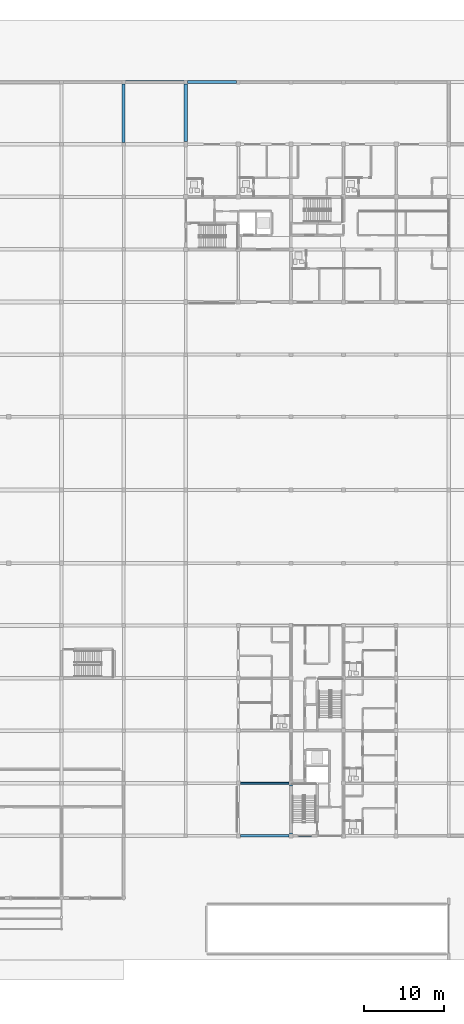
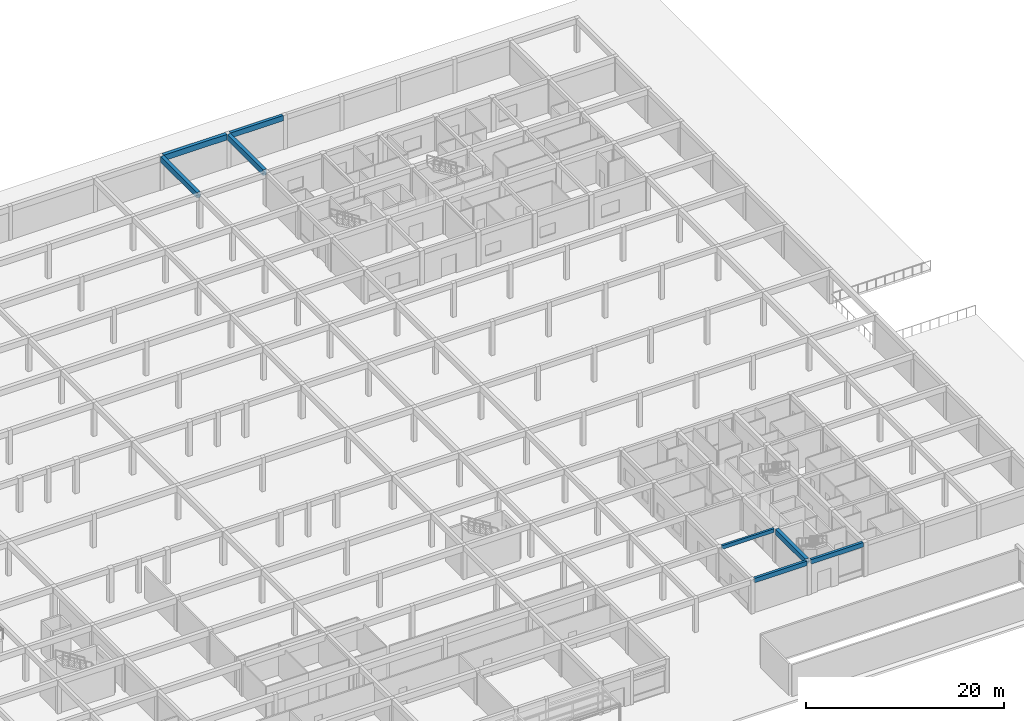
# One storey, part 37 of 75: 8 beams.
"""IFC4 building model written with IfcOpenShell, lengths in metres."""

from ifc_helpers import new_model, si_unit, direction, frame, origin, origin_2d, place, context, subcontext, project, spatial, rectangle, extrude, material, material_profile, profile_set, type_object, element, save


model = new_model("IFC4")

# Units and contexts
model_context = context("Model", 3, precision=1e-05, world=origin(), true_north=direction((0.0, 1.0)))
body_context = subcontext(model_context, "Body", "Model", "MODEL_VIEW")
ifc_project = project(units=[si_unit("LENGTHUNIT", "METRE"), si_unit("AREAUNIT", "SQUARE_METRE"), si_unit("VOLUMEUNIT", "CUBIC_METRE"), si_unit("PLANEANGLEUNIT", "RADIAN"), si_unit("MASSUNIT", "GRAM", prefix="KILO")], contexts=[model_context])

# Site, building, storey
site_placement = place(None, origin())
site = spatial("IfcSite", under=ifc_project, at=site_placement, CompositionType="ELEMENT")
building_placement = place(site_placement, origin())
building = spatial("IfcBuilding", under=site, at=building_placement, Name="Kernevlak Ridge Housing Community", CompositionType="ELEMENT")
storey_placement = place(building_placement, origin())
storey = spatial("IfcBuildingStorey", under=building, at=storey_placement, Name="L00", CompositionType="ELEMENT", Elevation=0.0)

# Beams
ifc_material = material(Name="Concrete C35/45", Category="concrete")
ifc_material_profile_1 = material_profile(ifc_material, rectangle(XDim=0.39990234375, YDim=0.699951171875, at=origin_2d()), Name="RC 400x700")
ifc_profile_set_1 = profile_set([ifc_material_profile_1], Name="Concrete C35/45")
beam_type_1 = type_object("IfcBeamType", Name="B-01", PredefinedType="BEAM", material=ifc_profile_set_1)
for number, where, z_axis, x_axis, name in (
    (1, (111.824951171875, 110.199951171875, 3.85009765625), (1.0, 0.0, 0.0), (0.0, 1.0, 0.0), "Beam B-01 L00 2262"),
    (2, (111.60009765625, 102.625, 3.85009765625), (0.0, 1.0, 0.0), (-1.0, 0.0, 0.0), "Beam B-01 L00 2368"),
):
    element("IfcBeam", number, at=place(storey_placement, frame(where, z_axis=z_axis, x_axis=x_axis)), inside=storey, type_object=beam_type_1, Name=name, PredefinedType="BEAM", context=body_context, shape_type="SweptSolid", body=[
        extrude(rectangle(XDim=0.39990234375, YDim=0.699951171875, at=origin_2d()), origin(), (0.0, 0.0, 1.0), 7.35009765625),
    ])
beam_1_placement = place(storey_placement, frame((119.39990234375, 102.72509765625, 3.85009765625), z_axis=(0.0, 1.0, 0.0), x_axis=(-1.0, 0.0, 0.0)))
element("IfcBeam", 3, at=beam_1_placement, inside=storey, type_object=beam_type_1, Name="Beam B-01 L00 2378", PredefinedType="BEAM", context=body_context, shape_type="SweptSolid", body=[
    extrude(rectangle(XDim=0.39990234375, YDim=0.699951171875, at=origin_2d()), origin(), (0.0, 0.0, 1.0), 7.25),
])
ifc_material_profile_2 = material_profile(ifc_material, rectangle(XDim=0.35009765625, YDim=0.64990234375, at=origin_2d()), Name="RC 350x650")
ifc_profile_set_2 = profile_set([ifc_material_profile_2], Name="Concrete C35/45")
beam_type_2 = type_object("IfcBeamType", Name="B-02", PredefinedType="BEAM", material=ifc_profile_set_2)
beam_2_placement = place(storey_placement, frame((119.625, 110.199951171875, 3.875), z_axis=(1.0, 0.0, 0.0), x_axis=(0.0, 1.0, 0.0)))
element("IfcBeam", 4, at=beam_2_placement, inside=storey, type_object=beam_type_2, Name="Beam B-02 L00 2263", PredefinedType="BEAM", context=body_context, shape_type="SweptSolid", body=[
    extrude(rectangle(XDim=0.35009765625, YDim=0.64990234375, at=origin_2d()), origin(), (0.0, 0.0, 1.0), 6.14990234375),
])
ifc_material_profile_3 = material_profile(ifc_material, rectangle(XDim=0.39990234375, YDim=0.64990234375, at=origin_2d()), Name="RC 400x650")
ifc_profile_set_3 = profile_set([ifc_material_profile_3], Name="Concrete C35/45")
beam_type_3 = type_object("IfcBeamType", Name="B-03", PredefinedType="T_BEAM", material=ifc_profile_set_3)
beam_3_placement = place(storey_placement, frame((132.60009765625, 15.85009765625, 3.875), z_axis=(0.0, 1.0, 0.0), x_axis=(-1.0, 0.0, 0.0)))
element("IfcBeam", 5, at=beam_3_placement, inside=storey, type_object=beam_type_3, Name="Beam B-03 L00 992", PredefinedType="T_BEAM", context=body_context, shape_type="SweptSolid", body=[
    extrude(rectangle(XDim=0.39990234375, YDim=0.64990234375, at=origin_2d()), origin(), (0.0, 0.0, 1.0), 6.099853515625),
])
ifc_material_profile_4 = material_profile(ifc_material, rectangle(XDim=0.25, YDim=0.449951171875, at=origin_2d()), Name="RC 250x450")
ifc_profile_set_4 = profile_set([ifc_material_profile_4], Name="Concrete C35/45")
beam_type_4 = type_object("IfcBeamType", Name="B-04", PredefinedType="T_BEAM", material=ifc_profile_set_4)
beam_4_placement = place(storey_placement, frame((126.25, 22.199951171875, 3.97509765625), z_axis=(1.0, 0.0, 0.0), x_axis=(0.0, 1.0, 0.0)))
element("IfcBeam", 6, at=beam_4_placement, inside=storey, type_object=beam_type_4, Name="Beam B-04 L00 1007", PredefinedType="T_BEAM", context=body_context, shape_type="SweptSolid", body=[
    extrude(rectangle(XDim=0.25, YDim=0.449951171875, at=origin_2d()), origin(), (0.0, 0.0, 1.0), 6.10009765625),
])
ifc_material_profile_5 = material_profile(ifc_material, rectangle(XDim=0.300048828125, YDim=0.550048828125, at=origin_2d()), Name="RC 300x550")
ifc_profile_set_5 = profile_set([ifc_material_profile_5], Name="Concrete C35/45")
beam_type_5 = type_object("IfcBeamType", Name="SP-01", PredefinedType="SPANDREL", material=ifc_profile_set_5)
beam_5_placement = place(storey_placement, frame((126.25, 15.60009765625, 3.925048828125), z_axis=(1.0, 0.0, 0.0), x_axis=(0.0, 1.0, 0.0)))
element("IfcBeam", 7, at=beam_5_placement, inside=storey, type_object=beam_type_5, Name="Beam SP-01 L00 1004", PredefinedType="SPANDREL", context=body_context, shape_type="SweptSolid", body=[
    extrude(rectangle(XDim=0.300048828125, YDim=0.550048828125, at=origin_2d()), origin(), (0.0, 0.0, 1.0), 6.10009765625),
])
beam_6_placement = place(storey_placement, frame((132.85009765625, 15.60009765625, 3.925048828125), z_axis=(1.0, 0.0, 0.0), x_axis=(0.0, 1.0, 0.0)))
element("IfcBeam", 8, at=beam_6_placement, inside=storey, type_object=beam_type_5, Name="Beam SP-01 L00 1005", PredefinedType="SPANDREL", context=body_context, shape_type="SweptSolid", body=[
    extrude(rectangle(XDim=0.300048828125, YDim=0.550048828125, at=origin_2d()), origin(), (0.0, 0.0, 1.0), 6.099853515625),
])

save(model, "model.ifc")
